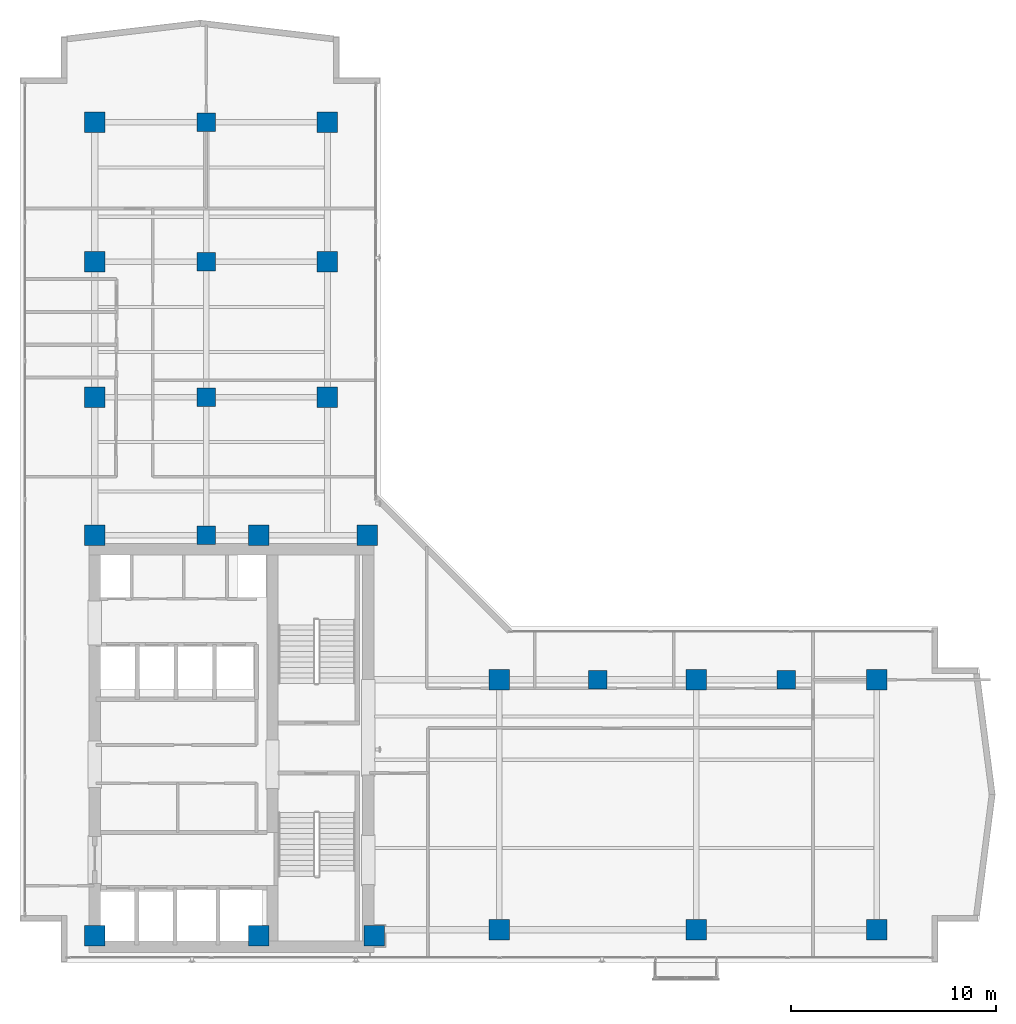
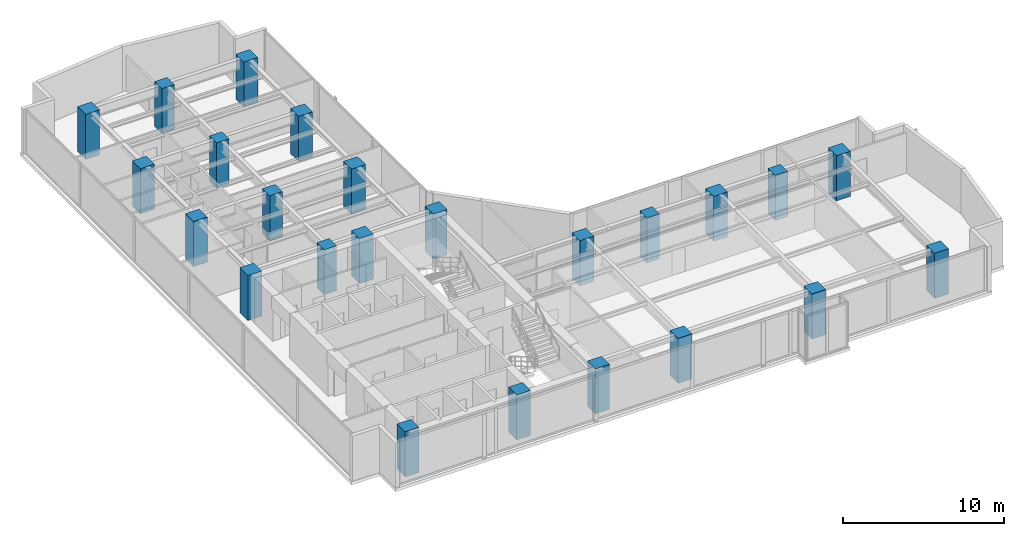
# One storey, part 1 of 24: 24 columns.
"""IFC4 building model written with IfcOpenShell, lengths in metres."""

from ifc_helpers import new_model, si_unit, direction, frame, origin, origin_2d, place, context, subcontext, project, spatial, rectangle, extrude, material, material_profile, profile_set, type_object, element, save


model = new_model("IFC4")

# Units and contexts
model_context = context("Model", 3, precision=1e-05, world=origin(), true_north=direction((0.0, 1.0)))
body_context = subcontext(model_context, "Body", "Model", "MODEL_VIEW")
ifc_project = project(units=[si_unit("LENGTHUNIT", "METRE"), si_unit("AREAUNIT", "SQUARE_METRE"), si_unit("VOLUMEUNIT", "CUBIC_METRE"), si_unit("PLANEANGLEUNIT", "RADIAN"), si_unit("MASSUNIT", "GRAM", prefix="KILO")], contexts=[model_context])

# Site, building, storey
site_placement = place(None, origin())
site = spatial("IfcSite", under=ifc_project, at=site_placement, CompositionType="ELEMENT")
building_placement = place(site_placement, origin())
building = spatial("IfcBuilding", under=site, at=building_placement, Name="Kolvaren Waterfront Exchange", CompositionType="ELEMENT")
storey_placement = place(building_placement, frame((0.0, 0.0, 253.89990234375)))
storey = spatial("IfcBuildingStorey", under=building, at=storey_placement, Name="L65", CompositionType="ELEMENT", Elevation=253.89990234375)

# Columns
ifc_material = material(Name="Concrete C50/60", Category="concrete")
ifc_material_profile_1 = material_profile(ifc_material, rectangle(XDim=1.0, YDim=1.0, at=origin_2d()), Name="RC-COL-1000x1000")
ifc_profile_set_1 = profile_set([ifc_material_profile_1], Name="Concrete C50/60")
column_type_1 = type_object("IfcColumnType", Name="STR-COL-1000-C50", PredefinedType="COLUMN", material=ifc_profile_set_1)
for number, where, z_axis, x_axis, name in (
    (1, (7.449951171875, 4.89990234375, 0.0), (0.0, 0.0, 1.0), (1.0, 0.0, 0.0), "L65 column MC01"),
    (2, (15.449951171875, 4.89990234375, 0.0), (0.0, 0.0, 1.0), (1.0, 0.0, 0.0), "L65 column MC02"),
    (3, (21.10009765625, 4.89990234375, 0.0), (0.0, 0.0, 1.0), (1.0, 0.0, 0.0), "L65 column MC03"),
    (4, (7.449951171875, 24.449951171875, 0.0), (0.0, 0.0, 1.0), (1.0, 0.0, 0.0), "L65 column MC04"),
    (5, (15.449951171875, 24.449951171875, 0.0), (0.0, 0.0, 1.0), (1.0, 0.0, 0.0), "L65 column MC05"),
    (6, (20.75, 24.449951171875, 0.0), (0.0, 0.0, 1.0), (1.0, 0.0, 0.0), "L65 column MC06"),
    (7, (7.449951171875, 31.199951171875, 0.0), (0.0, 0.0, 1.0), (1.0, 0.0, 0.0), "L65 column NC01"),
    (8, (7.449951171875, 37.800048828125, 0.0), (0.0, 0.0, 1.0), (1.0, 0.0, 0.0), "L65 column NC02"),
    (9, (7.449951171875, 44.60009765625, 0.0), (0.0, 0.0, 1.0), (1.0, 0.0, 0.0), "L65 column NC03"),
    (10, (18.800048828125, 31.199951171875, 0.0), (0.0, 0.0, 1.0), (1.0, 0.0, 0.0), "L65 column NC04"),
    (11, (18.800048828125, 37.800048828125, 0.0), (0.0, 0.0, 1.0), (1.0, 0.0, 0.0), "L65 column NC05"),
    (12, (18.800048828125, 44.60009765625, 0.0), (0.0, 0.0, 1.0), (1.0, 0.0, 0.0), "L65 column NC06"),
    (13, (27.199951171875, 5.199951171875, 0.0), (0.0, 0.0, 1.0), (1.0, 0.0, 0.0), "L65 column EC01"),
    (14, (36.800048828125, 5.199951171875, 0.0), (0.0, 0.0, 1.0), (1.0, 0.0, 0.0), "L65 column EC02"),
    (15, (45.60009765625, 5.199951171875, 0.0), (0.0, 0.0, 1.0), (1.0, 0.0, 0.0), "L65 column EC03"),
    (16, (27.199951171875, 17.39990234375, 0.0), (0.0, 0.0, 1.0), (1.0, 0.0, 0.0), "L65 column EC04"),
    (17, (36.800048828125, 17.39990234375, 0.0), (0.0, 0.0, 1.0), (1.0, 0.0, 0.0), "L65 column EC05"),
    (18, (45.60009765625, 17.39990234375, 0.0), (0.0, 0.0, 1.0), (1.0, 0.0, 0.0), "L65 column EC06"),
):
    element("IfcColumn", number, at=place(storey_placement, frame(where, z_axis=z_axis, x_axis=x_axis)), inside=storey, type_object=column_type_1, Name=name, PredefinedType="COLUMN", context=body_context, shape_type="SweptSolid", body=[
        extrude(rectangle(XDim=1.0, YDim=1.0, at=origin_2d()), origin(), (0.0, 0.0, 1.0), 3.420166015625),
    ])
ifc_material_profile_2 = material_profile(ifc_material, rectangle(XDim=0.89990234375, YDim=0.89990234375, at=origin_2d()), Name="RC-COL-900x900")
ifc_profile_set_2 = profile_set([ifc_material_profile_2], Name="Concrete C50/60")
column_type_2 = type_object("IfcColumnType", Name="STR-COL-900-C50", PredefinedType="COLUMN", material=ifc_profile_set_2)
for number, where, z_axis, x_axis, name in (
    (19, (12.89990234375, 24.449951171875, 0.0), (0.0, 0.0, 1.0), (1.0, 0.0, 0.0), "L65 column TC01"),
    (20, (12.89990234375, 31.199951171875, 0.0), (0.0, 0.0, 1.0), (1.0, 0.0, 0.0), "L65 column TC02"),
    (21, (12.89990234375, 37.800048828125, 0.0), (0.0, 0.0, 1.0), (1.0, 0.0, 0.0), "L65 column TC03"),
    (22, (12.89990234375, 44.60009765625, 0.0), (0.0, 0.0, 1.0), (1.0, 0.0, 0.0), "L65 column TC04"),
    (23, (32.0, 17.39990234375, 0.0), (0.0, 0.0, 1.0), (1.0, 0.0, 0.0), "L65 column TC05"),
    (24, (41.199951171875, 17.39990234375, 0.0), (0.0, 0.0, 1.0), (1.0, 0.0, 0.0), "L65 column TC06"),
):
    element("IfcColumn", number, at=place(storey_placement, frame(where, z_axis=z_axis, x_axis=x_axis)), inside=storey, type_object=column_type_2, Name=name, PredefinedType="COLUMN", context=body_context, shape_type="SweptSolid", body=[
        extrude(rectangle(XDim=0.89990234375, YDim=0.89990234375, at=origin_2d()), origin(), (0.0, 0.0, 1.0), 3.420166015625),
    ])

save(model, "model.ifc")
